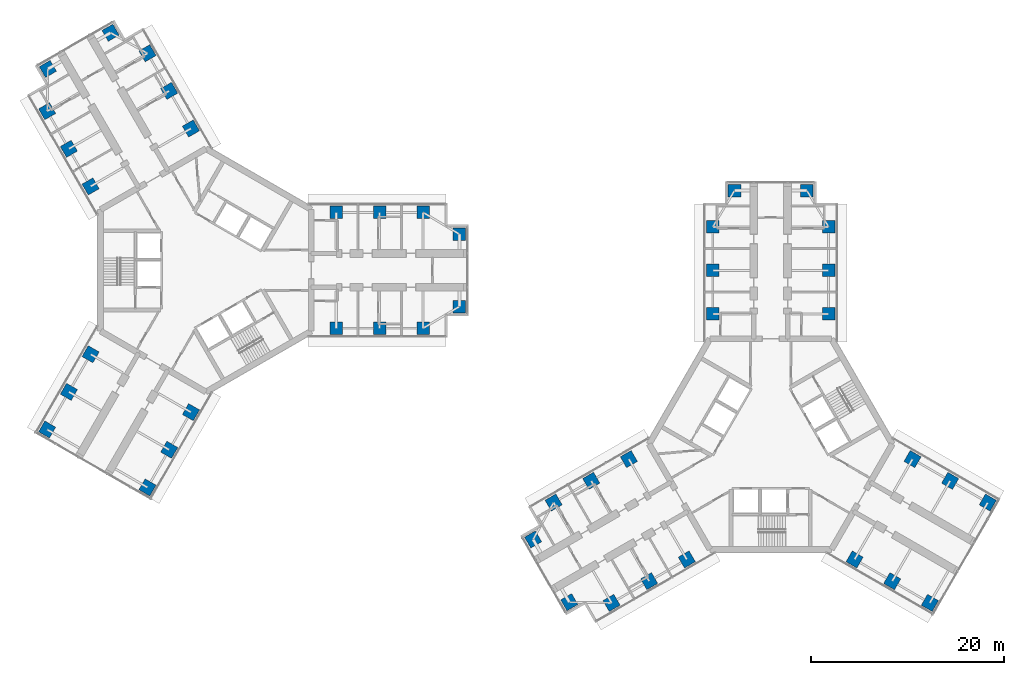
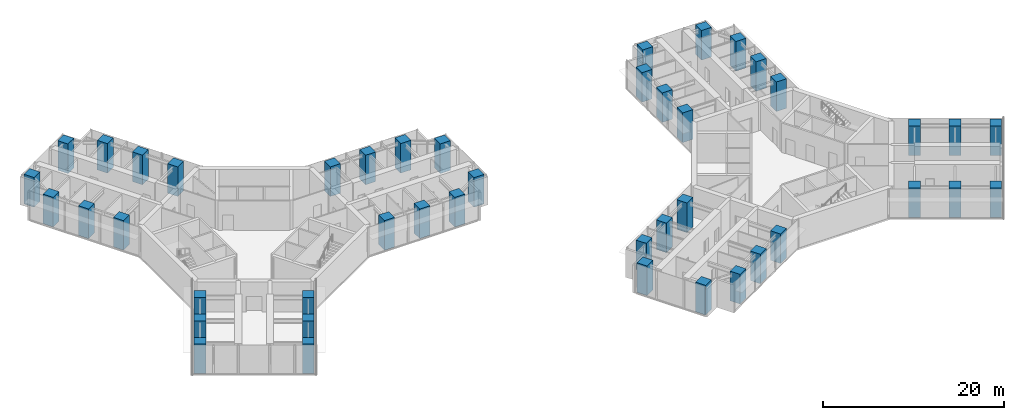
# One storey, part 1 of 22: 44 columns.
"""IFC4 building model written with IfcOpenShell, lengths in metres."""

from ifc_helpers import new_model, si_unit, direction, frame, origin, origin_2d, place, context, subcontext, project, spatial, rectangle, extrude, material, material_profile, profile_set, type_object, element, save


model = new_model("IFC4")

# Units and contexts
model_context = context("Model", 3, precision=1e-05, world=origin(), true_north=direction((0.0, 1.0)))
body_context = subcontext(model_context, "Body", "Model", "MODEL_VIEW")
ifc_project = project(units=[si_unit("LENGTHUNIT", "METRE"), si_unit("AREAUNIT", "SQUARE_METRE"), si_unit("VOLUMEUNIT", "CUBIC_METRE"), si_unit("PLANEANGLEUNIT", "RADIAN"), si_unit("MASSUNIT", "GRAM", prefix="KILO")], contexts=[model_context])

# Site, building, storey
site_placement = place(None, origin())
site = spatial("IfcSite", under=ifc_project, at=site_placement, CompositionType="ELEMENT")
building_placement = place(site_placement, origin())
building = spatial("IfcBuilding", under=site, at=building_placement, Name="Upepo Twin Towers", CompositionType="ELEMENT")
storey_placement = place(building_placement, frame((0.0, 0.0, 137.5)))
storey = spatial("IfcBuildingStorey", under=building, at=storey_placement, Name="L33", CompositionType="ELEMENT", Elevation=137.5)

# Columns
ifc_material = material(Name="Concrete C60/75", Category="concrete")
ifc_material_profile = material_profile(ifc_material, rectangle(XDim=1.300048828125, YDim=1.300048828125, at=origin_2d()), Name="RC 1300x1300")
ifc_profile_set = profile_set([ifc_material_profile], Name="Concrete C60/75")
column_type = type_object("IfcColumnType", Name="Tower column RC 1300x1300", PredefinedType="COLUMN", material=ifc_profile_set)
for number, where, z_axis, x_axis, name in (
    (1, (13.5, 6.0, 0.0), (0.0, 0.0, 1.0), (1.0, 0.0, 0.0), "T1 column AL135"),
    (2, (13.5, -6.0, 0.0), (0.0, 0.0, 1.0), (1.0, 0.0, 0.0), "T1 column AR135"),
    (3, (18.0, 6.0, 0.0), (0.0, 0.0, 1.0), (1.0, 0.0, 0.0), "T1 column AL180"),
    (4, (18.0, -6.0, 0.0), (0.0, 0.0, 1.0), (1.0, 0.0, 0.0), "T1 column AR180"),
    (5, (22.5, 6.0, 0.0), (0.0, 0.0, 1.0), (1.0, 0.0, 0.0), "T1 column AL225"),
    (6, (22.5, -6.0, 0.0), (0.0, 0.0, 1.0), (1.0, 0.0, 0.0), "T1 column AR225"),
    (7, (26.25, 3.75, 0.0), (0.0, 0.0, 1.0), (1.0, 0.0, 0.0), "T1 column ALN"),
    (8, (26.25, -3.75, 0.0), (0.0, 0.0, 1.0), (1.0, 0.0, 0.0), "T1 column ARN"),
    (9, (-11.946044921875, 8.69140625, 0.0), (0.0, 0.0, 1.0), (0.866025403784, 0.5, 0.0), "T1 column BL135"),
    (10, (-1.553955078125, 14.69140625, 0.0), (0.0, 0.0, 1.0), (0.866025403784, 0.5, 0.0), "T1 column BR135"),
    (11, (-14.196044921875, 12.58837890625, 0.0), (0.0, 0.0, 1.0), (0.866025403784, 0.5, 0.0), "T1 column BL180"),
    (12, (-3.803955078125, 18.58837890625, 0.0), (0.0, 0.0, 1.0), (0.866025403784, 0.5, 0.0), "T1 column BR180"),
    (13, (-16.446044921875, 16.485595703125, 0.0), (0.0, 0.0, 1.0), (0.866025403784, 0.5, 0.0), "T1 column BL225"),
    (14, (-6.053955078125, 22.485595703125, 0.0), (0.0, 0.0, 1.0), (0.866025403784, 0.5, 0.0), "T1 column BR225"),
    (15, (-16.37255859375, 20.858154296875, 0.0), (0.0, 0.0, 1.0), (0.866025403784, 0.5, 0.0), "T1 column BLN"),
    (16, (-9.87744140625, 24.608154296875, 0.0), (0.0, 0.0, 1.0), (0.866025403784, 0.5, 0.0), "T1 column BRN"),
    (17, (-1.553955078125, -14.69140625, 0.0), (0.0, 0.0, 1.0), (0.5, 0.866025403784, 0.0), "T1 column CL135"),
    (18, (-11.946044921875, -8.69140625, 0.0), (0.0, 0.0, 1.0), (0.5, 0.866025403784, 0.0), "T1 column CR135"),
    (19, (-3.803955078125, -18.58837890625, 0.0), (0.0, 0.0, 1.0), (0.5, 0.866025403784, 0.0), "T1 column CL180"),
    (20, (-14.196044921875, -12.58837890625, 0.0), (0.0, 0.0, 1.0), (0.5, 0.866025403784, 0.0), "T1 column CR180"),
    (21, (-6.053955078125, -22.485595703125, 0.0), (0.0, 0.0, 1.0), (0.5, 0.866025403784, 0.0), "T1 column CL225"),
    (22, (-16.446044921875, -16.485595703125, 0.0), (0.0, 0.0, 1.0), (0.5, 0.866025403784, 0.0), "T1 column CR225"),
    (23, (52.5, -4.5, 0.0), (0.0, 0.0, 1.0), (1.0, 0.0, 0.0), "T2 column AL135"),
    (24, (64.5, -4.5, 0.0), (0.0, 0.0, 1.0), (1.0, 0.0, 0.0), "T2 column AR135"),
    (25, (52.5, 0.0, 0.0), (0.0, 0.0, 1.0), (1.0, 0.0, 0.0), "T2 column AL180"),
    (26, (64.5, 0.0, 0.0), (0.0, 0.0, 1.0), (1.0, 0.0, 0.0), "T2 column AR180"),
    (27, (52.5, 4.5, 0.0), (0.0, 0.0, 1.0), (1.0, 0.0, 0.0), "T2 column AL225"),
    (28, (64.5, 4.5, 0.0), (0.0, 0.0, 1.0), (1.0, 0.0, 0.0), "T2 column AR225"),
    (29, (54.75, 8.25, 0.0), (0.0, 0.0, 1.0), (1.0, 0.0, 0.0), "T2 column ALN"),
    (30, (62.25, 8.25, 0.0), (0.0, 0.0, 1.0), (1.0, 0.0, 0.0), "T2 column ARN"),
    (31, (49.80859375, -29.946044921875, 0.0), (0.0, 0.0, 1.0), (0.866025403784, 0.5, 0.0), "T2 column BL135"),
    (32, (43.80859375, -19.553955078125, 0.0), (0.0, 0.0, 1.0), (0.866025403784, 0.5, 0.0), "T2 column BR135"),
    (33, (45.91162109375, -32.196044921875, 0.0), (0.0, 0.0, 1.0), (0.866025403784, 0.5, 0.0), "T2 column BL180"),
    (34, (39.91162109375, -21.803955078125, 0.0), (0.0, 0.0, 1.0), (0.866025403784, 0.5, 0.0), "T2 column BR180"),
    (35, (42.014404296875, -34.446044921875, 0.0), (0.0, 0.0, 1.0), (0.866025403784, 0.5, 0.0), "T2 column BL225"),
    (36, (36.014404296875, -24.053955078125, 0.0), (0.0, 0.0, 1.0), (0.866025403784, 0.5, 0.0), "T2 column BR225"),
    (37, (37.641845703125, -34.37255859375, 0.0), (0.0, 0.0, 1.0), (0.866025403784, 0.5, 0.0), "T2 column BLN"),
    (38, (33.891845703125, -27.87744140625, 0.0), (0.0, 0.0, 1.0), (0.866025403784, 0.5, 0.0), "T2 column BRN"),
    (39, (73.19140625, -19.553955078125, 0.0), (0.0, 0.0, 1.0), (0.5, 0.866025403784, 0.0), "T2 column CL135"),
    (40, (67.19140625, -29.946044921875, 0.0), (0.0, 0.0, 1.0), (0.5, 0.866025403784, 0.0), "T2 column CR135"),
    (41, (77.08837890625, -21.803955078125, 0.0), (0.0, 0.0, 1.0), (0.5, 0.866025403784, 0.0), "T2 column CL180"),
    (42, (71.08837890625, -32.196044921875, 0.0), (0.0, 0.0, 1.0), (0.5, 0.866025403784, 0.0), "T2 column CR180"),
    (43, (80.985595703125, -24.053955078125, 0.0), (0.0, 0.0, 1.0), (0.5, 0.866025403784, 0.0), "T2 column CL225"),
    (44, (74.985595703125, -34.446044921875, 0.0), (0.0, 0.0, 1.0), (0.5, 0.866025403784, 0.0), "T2 column CR225"),
):
    element("IfcColumn", number, at=place(storey_placement, frame(where, z_axis=z_axis, x_axis=x_axis)), inside=storey, type_object=column_type, Name=name, PredefinedType="COLUMN", context=body_context, shape_type="SweptSolid", body=[
        extrude(rectangle(XDim=1.300048828125, YDim=1.300048828125, at=origin_2d()), origin(), (0.0, 0.0, 1.0), 4.0),
    ])

save(model, "model.ifc")
